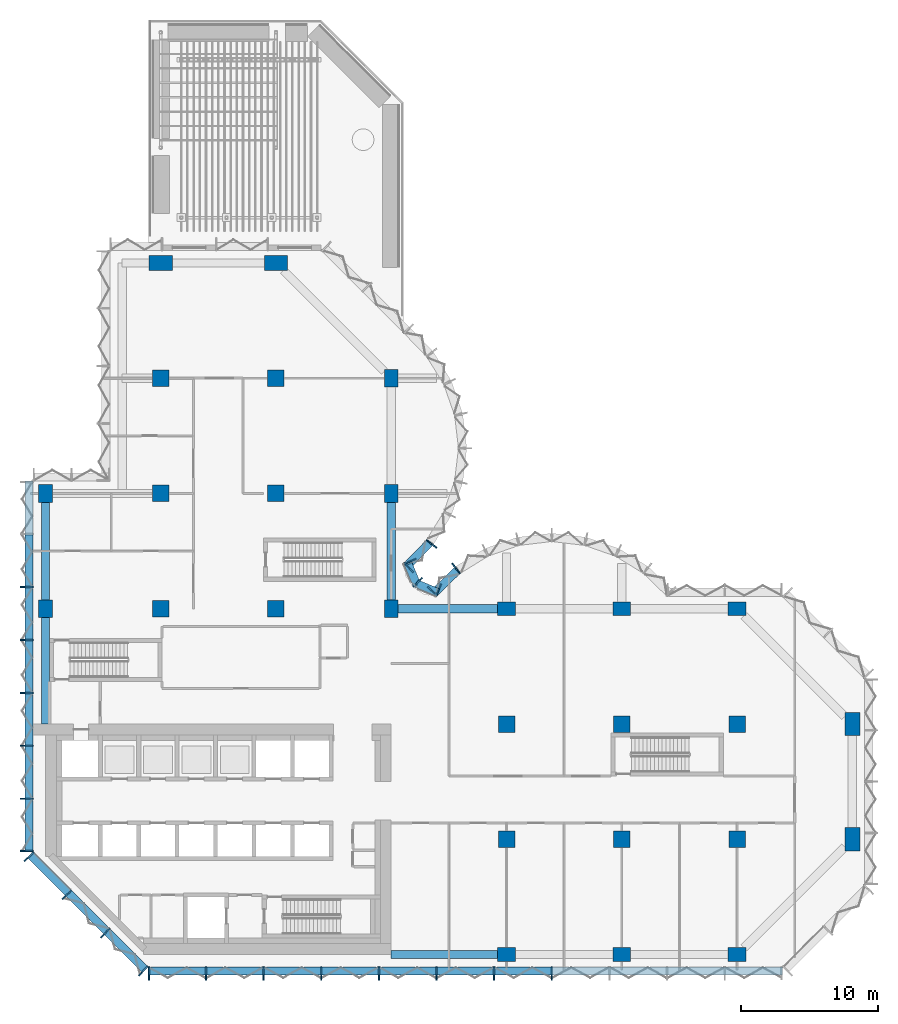
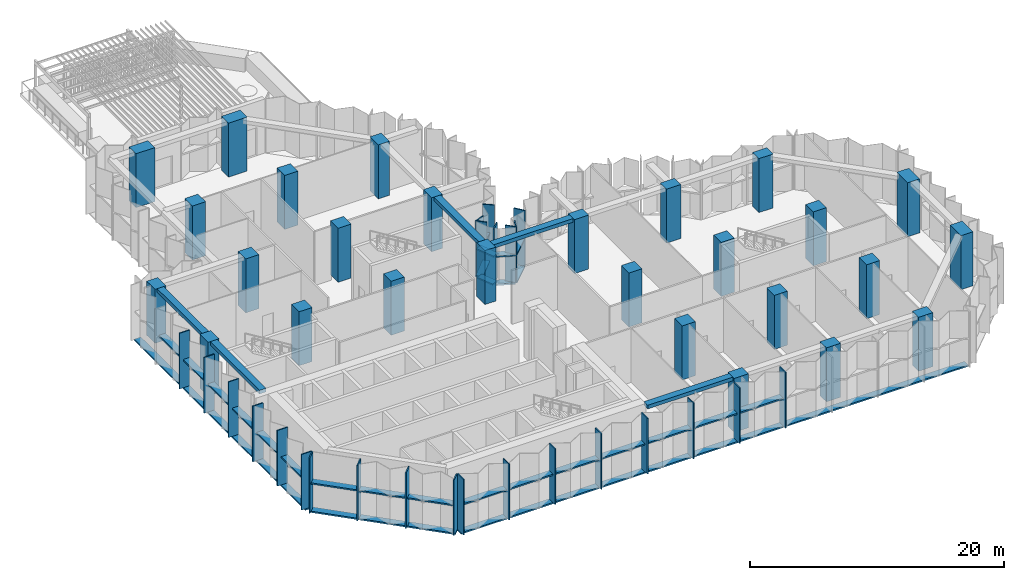
# One storey, part 1 of 15: 52 members, 27 columns, 5 beams, 6 elements without a shape of their own.
"""IFC4 building model written with IfcOpenShell, lengths in metres."""

from ifc_helpers import new_model, si_unit, direction, frame, origin, origin_2d, place, context, subcontext, project, spatial, rectangle, extrude, material, material_profile, profile_set, type_object, element, aggregate, save


model = new_model("IFC4")

# Units and contexts
model_context = context("Model", 3, precision=1e-05, world=origin(), true_north=direction((0.0, 1.0)))
body_context = subcontext(model_context, "Body", "Model", "MODEL_VIEW")
ifc_project = project(units=[si_unit("LENGTHUNIT", "METRE"), si_unit("AREAUNIT", "SQUARE_METRE"), si_unit("VOLUMEUNIT", "CUBIC_METRE"), si_unit("PLANEANGLEUNIT", "RADIAN"), si_unit("MASSUNIT", "GRAM", prefix="KILO")], contexts=[model_context])

# Site, building, storey
site_placement = place(None, origin())
site = spatial("IfcSite", under=ifc_project, at=site_placement, CompositionType="ELEMENT")
building_placement = place(site_placement, origin())
building = spatial("IfcBuilding", under=site, at=building_placement, Name="Brevane Broadcast Tower", CompositionType="ELEMENT")
storey_placement = place(building_placement, frame((0.0, 0.0, 156.5)))
storey = spatial("IfcBuildingStorey", under=building, at=storey_placement, Name="L39", CompositionType="ELEMENT", Elevation=156.5)

# Columns
ifc_material_1 = material(Name="Concrete C60/75", Category="concrete")
ifc_material_profile_1 = material_profile(ifc_material_1, rectangle(XDim=1.0, YDim=1.300048828125, at=origin_2d()), Name="RC 1000x1300")
ifc_profile_set_1 = profile_set([ifc_material_profile_1], Name="Concrete C60/75")
column_type_1 = type_object("IfcColumnType", Name="RC COLUMN EDGE 1000x1300 C60/75", PredefinedType="COLUMN", material=ifc_profile_set_1)
for number, where, z_axis, x_axis, name in (
    (1, (0.0, 25.199951171875, 0.0), (0.0, 0.0, 1.0), (1.0, 0.0, 0.0), "CE8 1/D"),
    (2, (0.0, 33.60009765625, 0.0), (0.0, 0.0, 1.0), (1.0, 0.0, 0.0), "CE8 1/E"),
    (3, (25.199951171875, 25.199951171875, 0.0), (0.0, 0.0, 1.0), (1.0, 0.0, 0.0), "CE8 4/D"),
    (4, (25.199951171875, 33.60009765625, 0.0), (0.0, 0.0, 1.0), (1.0, 0.0, 0.0), "CE8 4/E"),
    (5, (25.199951171875, 42.0, 0.0), (0.0, 0.0, 1.0), (1.0, 0.0, 0.0), "CE8 4/F"),
    (6, (33.60009765625, 0.0, 0.0), (0.0, 0.0, 1.0), (0.0, 1.0, 0.0), "CE8 5/A"),
    (7, (33.60009765625, 25.199951171875, 0.0), (0.0, 0.0, 1.0), (0.0, 1.0, 0.0), "CE8 5/D"),
    (8, (42.0, 0.0, 0.0), (0.0, 0.0, 1.0), (0.0, 1.0, 0.0), "CE8 6/A"),
    (9, (42.0, 25.199951171875, 0.0), (0.0, 0.0, 1.0), (0.0, 1.0, 0.0), "CE8 6/D"),
    (10, (50.39990234375, 0.0, 0.0), (0.0, 0.0, 1.0), (0.0, 1.0, 0.0), "CE8 7/A"),
    (11, (50.39990234375, 25.199951171875, 0.0), (0.0, 0.0, 1.0), (0.0, 1.0, 0.0), "CE8 7/D"),
):
    element("IfcColumn", number, at=place(storey_placement, frame(where, z_axis=z_axis, x_axis=x_axis)), inside=storey, type_object=column_type_1, Name=name, PredefinedType="COLUMN", context=body_context, shape_type="SweptSolid", body=[
        extrude(rectangle(XDim=1.0, YDim=1.300048828125, at=origin_2d()), origin(), (0.0, 0.0, 1.0), 5.199951171875),
    ])
ifc_material_profile_2 = material_profile(ifc_material_1, rectangle(XDim=1.199951171875, YDim=1.199951171875, at=origin_2d()), Name="RC 1200x1200")
ifc_profile_set_2 = profile_set([ifc_material_profile_2], Name="Concrete C60/75")
column_type_2 = type_object("IfcColumnType", Name="RC COLUMN INTERIOR 1200x1200 C60/75", PredefinedType="COLUMN", material=ifc_profile_set_2)
for number, where, z_axis, x_axis, name in (
    (12, (8.39990234375, 25.199951171875, 0.0), (0.0, 0.0, 1.0), (1.0, 0.0, 0.0), "CI9 2/D"),
    (13, (8.39990234375, 33.60009765625, 0.0), (0.0, 0.0, 1.0), (1.0, 0.0, 0.0), "CI9 2/E"),
    (14, (8.39990234375, 42.0, 0.0), (0.0, 0.0, 1.0), (1.0, 0.0, 0.0), "CI9 2/F"),
    (15, (16.800048828125, 25.199951171875, 0.0), (0.0, 0.0, 1.0), (1.0, 0.0, 0.0), "CI9 3/D"),
    (16, (16.800048828125, 33.60009765625, 0.0), (0.0, 0.0, 1.0), (1.0, 0.0, 0.0), "CI9 3/E"),
    (17, (16.800048828125, 42.0, 0.0), (0.0, 0.0, 1.0), (1.0, 0.0, 0.0), "CI9 3/F"),
    (18, (33.60009765625, 8.39990234375, 0.0), (0.0, 0.0, 1.0), (1.0, 0.0, 0.0), "CI9 5/B"),
    (19, (33.60009765625, 16.800048828125, 0.0), (0.0, 0.0, 1.0), (1.0, 0.0, 0.0), "CI9 5/C"),
    (20, (42.0, 8.39990234375, 0.0), (0.0, 0.0, 1.0), (1.0, 0.0, 0.0), "CI9 6/B"),
    (21, (42.0, 16.800048828125, 0.0), (0.0, 0.0, 1.0), (1.0, 0.0, 0.0), "CI9 6/C"),
    (22, (50.39990234375, 8.39990234375, 0.0), (0.0, 0.0, 1.0), (1.0, 0.0, 0.0), "CI9 7/B"),
    (23, (50.39990234375, 16.800048828125, 0.0), (0.0, 0.0, 1.0), (1.0, 0.0, 0.0), "CI9 7/C"),
):
    element("IfcColumn", number, at=place(storey_placement, frame(where, z_axis=z_axis, x_axis=x_axis)), inside=storey, type_object=column_type_2, Name=name, PredefinedType="COLUMN", context=body_context, shape_type="SweptSolid", body=[
        extrude(rectangle(XDim=1.199951171875, YDim=1.199951171875, at=origin_2d()), origin(), (0.0, 0.0, 1.0), 5.199951171875),
    ])
ifc_material_profile_3 = material_profile(ifc_material_1, rectangle(XDim=1.10009765625, YDim=1.699951171875, at=origin_2d()), Name="RC 1100x1700")
ifc_profile_set_3 = profile_set([ifc_material_profile_3], Name="Concrete C60/75")
column_type_3 = type_object("IfcColumnType", Name="RC COLUMN WING-END 1100x1700 C60/75", PredefinedType="COLUMN", material=ifc_profile_set_3)
for number, where, z_axis, x_axis, name in (
    (24, (8.39990234375, 50.39990234375, 0.0), (0.0, 0.0, 1.0), (0.0, 1.0, 0.0), "CW10 2/G"),
    (25, (16.800048828125, 50.39990234375, 0.0), (0.0, 0.0, 1.0), (0.0, 1.0, 0.0), "CW10 3/G"),
    (26, (58.800048828125, 8.39990234375, 0.0), (0.0, 0.0, 1.0), (1.0, 0.0, 0.0), "CW10 8/B"),
    (27, (58.800048828125, 16.800048828125, 0.0), (0.0, 0.0, 1.0), (1.0, 0.0, 0.0), "CW10 8/C"),
):
    element("IfcColumn", number, at=place(storey_placement, frame(where, z_axis=z_axis, x_axis=x_axis)), inside=storey, type_object=column_type_3, Name=name, PredefinedType="COLUMN", context=body_context, shape_type="SweptSolid", body=[
        extrude(rectangle(XDim=1.10009765625, YDim=1.699951171875, at=origin_2d()), origin(), (0.0, 0.0, 1.0), 5.199951171875),
    ])

# Curtain wall, members
ifc_material_2 = material(Name="Aluminium 6063-T6 bronze anodised", Category="aluminium")
curtain_wall_type = type_object("IfcCurtainWallType", Name="CW-4 curtain wall", PredefinedType="NOTDEFINED", material=ifc_material_2)
curtain_wall_1_placement = place(storey_placement, origin())
curtain_wall_1 = element("IfcCurtainWall", 28, at=curtain_wall_1_placement, inside=storey, type_object=curtain_wall_type, Name="CW-4 sky lobby unit L39 south face", PredefinedType="NOTDEFINED")
ifc_material_profile_4 = material_profile(ifc_material_2, rectangle(XDim=0.949951171875, YDim=0.10009765625, at=origin_2d()), Name="RECT 100x950")
ifc_profile_set_4 = profile_set([ifc_material_profile_4], Name="Aluminium 6063-T6 bronze anodised")
member_type_1 = type_object("IfcMemberType", Name="CW-4 mullion 100x950", PredefinedType="MULLION", material=ifc_profile_set_4)
member_1_placement = place(storey_placement, frame((7.550048828125, -1.375, -0.159912109375), z_axis=(0.0, 0.0, 1.0), x_axis=(0.0, 1.0, 0.0)))
member_1 = element("IfcMember", 29, at=member_1_placement, type_object=member_type_1, Name="CW-4 mullion", PredefinedType="MULLION", context=body_context, shape_type="SweptSolid", body=[
    extrude(rectangle(XDim=0.949951171875, YDim=0.10009765625, at=origin_2d()), origin(), (0.0, 0.0, 1.0), 5.35986328125),
])
member_2_placement = place(storey_placement, frame((11.699951171875, -1.375, -0.159912109375), z_axis=(0.0, 0.0, 1.0), x_axis=(0.0, 1.0, 0.0)))
member_2 = element("IfcMember", 30, at=member_2_placement, type_object=member_type_1, Name="CW-4 mullion", PredefinedType="MULLION", context=body_context, shape_type="SweptSolid", body=[
    extrude(rectangle(XDim=0.949951171875, YDim=0.10009765625, at=origin_2d()), origin(), (0.0, 0.0, 1.0), 5.35986328125),
])
member_3_placement = place(storey_placement, frame((15.89990234375, -1.375, -0.159912109375), z_axis=(0.0, 0.0, 1.0), x_axis=(0.0, 1.0, 0.0)))
member_3 = element("IfcMember", 31, at=member_3_placement, type_object=member_type_1, Name="CW-4 mullion", PredefinedType="MULLION", context=body_context, shape_type="SweptSolid", body=[
    extrude(rectangle(XDim=0.949951171875, YDim=0.10009765625, at=origin_2d()), origin(), (0.0, 0.0, 1.0), 5.35986328125),
])
member_4_placement = place(storey_placement, frame((20.10009765625, -1.375, -0.159912109375), z_axis=(0.0, 0.0, 1.0), x_axis=(0.0, 1.0, 0.0)))
member_4 = element("IfcMember", 32, at=member_4_placement, type_object=member_type_1, Name="CW-4 mullion", PredefinedType="MULLION", context=body_context, shape_type="SweptSolid", body=[
    extrude(rectangle(XDim=0.949951171875, YDim=0.10009765625, at=origin_2d()), origin(), (0.0, 0.0, 1.0), 5.35986328125),
])
member_5_placement = place(storey_placement, frame((24.300048828125, -1.375, -0.159912109375), z_axis=(0.0, 0.0, 1.0), x_axis=(0.0, 1.0, 0.0)))
member_5 = element("IfcMember", 33, at=member_5_placement, type_object=member_type_1, Name="CW-4 mullion", PredefinedType="MULLION", context=body_context, shape_type="SweptSolid", body=[
    extrude(rectangle(XDim=0.949951171875, YDim=0.10009765625, at=origin_2d()), origin(), (0.0, 0.0, 1.0), 5.35986328125),
])
member_6_placement = place(storey_placement, frame((28.5, -1.375, -0.159912109375), z_axis=(0.0, 0.0, 1.0), x_axis=(0.0, 1.0, 0.0)))
member_6 = element("IfcMember", 34, at=member_6_placement, type_object=member_type_1, Name="CW-4 mullion", PredefinedType="MULLION", context=body_context, shape_type="SweptSolid", body=[
    extrude(rectangle(XDim=0.949951171875, YDim=0.10009765625, at=origin_2d()), origin(), (0.0, 0.0, 1.0), 5.35986328125),
])
member_7_placement = place(storey_placement, frame((32.699951171875, -1.375, -0.159912109375), z_axis=(0.0, 0.0, 1.0), x_axis=(0.0, 1.0, 0.0)))
member_7 = element("IfcMember", 35, at=member_7_placement, type_object=member_type_1, Name="CW-4 mullion", PredefinedType="MULLION", context=body_context, shape_type="SweptSolid", body=[
    extrude(rectangle(XDim=0.949951171875, YDim=0.10009765625, at=origin_2d()), origin(), (0.0, 0.0, 1.0), 5.35986328125),
])
member_8_placement = place(storey_placement, frame((36.89990234375, -1.375, -0.159912109375), z_axis=(0.0, 0.0, 1.0), x_axis=(0.0, 1.0, 0.0)))
member_8 = element("IfcMember", 36, at=member_8_placement, type_object=member_type_1, Name="CW-4 mullion", PredefinedType="MULLION", context=body_context, shape_type="SweptSolid", body=[
    extrude(rectangle(XDim=0.949951171875, YDim=0.10009765625, at=origin_2d()), origin(), (0.0, 0.0, 1.0), 5.35986328125),
])

curtain_wall_2_placement = place(storey_placement, origin())
curtain_wall_2 = element("IfcCurtainWall", 37, at=curtain_wall_2_placement, inside=storey, type_object=curtain_wall_type, Name="CW-4 sky lobby unit L39 east bow", PredefinedType="NOTDEFINED")
member_9_placement = place(storey_placement, frame((29.927978515625, 28.1455078125, -0.159912109375), z_axis=(0.0, 0.0, 1.0), x_axis=(0.614769698862, -0.788706673841, 0.0)))
member_9 = element("IfcMember", 38, at=member_9_placement, type_object=member_type_1, Name="CW-4 mullion", PredefinedType="MULLION", context=body_context, shape_type="SweptSolid", body=[
    extrude(rectangle(XDim=0.949951171875, YDim=0.10009765625, at=origin_2d()), origin(), (0.0, 0.0, 1.0), 5.35986328125),
])
member_10_placement = place(storey_placement, frame((28.204833984375, 26.4755859375, -0.159912109375), z_axis=(0.0, 0.0, 1.0), x_axis=(0.696812089895, -0.717253728729, 0.0)))
member_10 = element("IfcMember", 39, at=member_10_placement, type_object=member_type_1, Name="CW-4 mullion", PredefinedType="MULLION", context=body_context, shape_type="SweptSolid", body=[
    extrude(rectangle(XDim=0.949951171875, YDim=0.10009765625, at=origin_2d()), origin(), (0.0, 0.0, 1.0), 5.35986328125),
])

curtain_wall_3_placement = place(storey_placement, origin())
curtain_wall_3 = element("IfcCurtainWall", 40, at=curtain_wall_3_placement, inside=storey, type_object=curtain_wall_type, Name="CW-4 sky lobby unit L39 inner corner", PredefinedType="NOTDEFINED")
member_11_placement = place(storey_placement, frame((28.635498046875, 26.557861328125, -0.159912109375), z_axis=(0.0, 0.0, 1.0), x_axis=(-0.382683432365, -0.923879532511, 0.0)))
member_11 = element("IfcMember", 41, at=member_11_placement, type_object=member_type_1, Name="CW-4 mullion", PredefinedType="MULLION", context=body_context, shape_type="SweptSolid", body=[
    extrude(rectangle(XDim=0.949951171875, YDim=0.10009765625, at=origin_2d()), origin(), (0.0, 0.0, 1.0), 5.35986328125),
])
member_12_placement = place(storey_placement, frame((27.138916015625, 27.138916015625, -0.159912109375), z_axis=(0.0, 0.0, 1.0), x_axis=(-0.707106781187, -0.707106781187, 0.0)))
member_12 = element("IfcMember", 42, at=member_12_placement, type_object=member_type_1, Name="CW-4 mullion", PredefinedType="MULLION", context=body_context, shape_type="SweptSolid", body=[
    extrude(rectangle(XDim=0.949951171875, YDim=0.10009765625, at=origin_2d()), origin(), (0.0, 0.0, 1.0), 5.35986328125),
])
member_13_placement = place(storey_placement, frame((26.557861328125, 28.635498046875, -0.159912109375), z_axis=(0.0, 0.0, 1.0), x_axis=(-0.923879532511, -0.382683432365, 0.0)))
member_13 = element("IfcMember", 43, at=member_13_placement, type_object=member_type_1, Name="CW-4 mullion", PredefinedType="MULLION", context=body_context, shape_type="SweptSolid", body=[
    extrude(rectangle(XDim=0.949951171875, YDim=0.10009765625, at=origin_2d()), origin(), (0.0, 0.0, 1.0), 5.35986328125),
])

curtain_wall_4_placement = place(storey_placement, origin())
curtain_wall_4 = element("IfcCurtainWall", 44, at=curtain_wall_4_placement, inside=storey, type_object=curtain_wall_type, Name="CW-4 sky lobby unit L39 north bow", PredefinedType="NOTDEFINED")
member_14_placement = place(storey_placement, frame((26.4755859375, 28.204833984375, -0.159912109375), z_axis=(0.0, 0.0, 1.0), x_axis=(-0.717253728729, 0.696812089895, 0.0)))
member_14 = element("IfcMember", 45, at=member_14_placement, type_object=member_type_1, Name="CW-4 mullion", PredefinedType="MULLION", context=body_context, shape_type="SweptSolid", body=[
    extrude(rectangle(XDim=0.949951171875, YDim=0.10009765625, at=origin_2d()), origin(), (0.0, 0.0, 1.0), 5.35986328125),
])
member_15_placement = place(storey_placement, frame((28.1455078125, 29.927978515625, -0.159912109375), z_axis=(0.0, 0.0, 1.0), x_axis=(-0.788706673841, 0.614769698862, 0.0)))
member_15 = element("IfcMember", 46, at=member_15_placement, type_object=member_type_1, Name="CW-4 mullion", PredefinedType="MULLION", context=body_context, shape_type="SweptSolid", body=[
    extrude(rectangle(XDim=0.949951171875, YDim=0.10009765625, at=origin_2d()), origin(), (0.0, 0.0, 1.0), 5.35986328125),
])

curtain_wall_5_placement = place(storey_placement, origin())
curtain_wall_5 = element("IfcCurtainWall", 47, at=curtain_wall_5_placement, inside=storey, type_object=curtain_wall_type, Name="CW-4 sky lobby unit L39 west face", PredefinedType="NOTDEFINED")
member_16_placement = place(storey_placement, frame((-1.375, 26.78564453125, -0.159912109375), z_axis=(0.0, 0.0, 1.0), x_axis=(1.0, 0.0, 0.0)))
member_16 = element("IfcMember", 48, at=member_16_placement, type_object=member_type_1, Name="CW-4 mullion", PredefinedType="MULLION", context=body_context, shape_type="SweptSolid", body=[
    extrude(rectangle(XDim=0.949951171875, YDim=0.10009765625, at=origin_2d()), origin(), (0.0, 0.0, 1.0), 5.35986328125),
])
member_17_placement = place(storey_placement, frame((-1.375, 22.928466796875, -0.159912109375), z_axis=(0.0, 0.0, 1.0), x_axis=(1.0, 0.0, 0.0)))
member_17 = element("IfcMember", 49, at=member_17_placement, type_object=member_type_1, Name="CW-4 mullion", PredefinedType="MULLION", context=body_context, shape_type="SweptSolid", body=[
    extrude(rectangle(XDim=0.949951171875, YDim=0.10009765625, at=origin_2d()), origin(), (0.0, 0.0, 1.0), 5.35986328125),
])
member_18_placement = place(storey_placement, frame((-1.375, 19.071533203125, -0.159912109375), z_axis=(0.0, 0.0, 1.0), x_axis=(1.0, 0.0, 0.0)))
member_18 = element("IfcMember", 50, at=member_18_placement, type_object=member_type_1, Name="CW-4 mullion", PredefinedType="MULLION", context=body_context, shape_type="SweptSolid", body=[
    extrude(rectangle(XDim=0.949951171875, YDim=0.10009765625, at=origin_2d()), origin(), (0.0, 0.0, 1.0), 5.35986328125),
])
member_19_placement = place(storey_placement, frame((-1.375, 15.21435546875, -0.159912109375), z_axis=(0.0, 0.0, 1.0), x_axis=(1.0, 0.0, 0.0)))
member_19 = element("IfcMember", 51, at=member_19_placement, type_object=member_type_1, Name="CW-4 mullion", PredefinedType="MULLION", context=body_context, shape_type="SweptSolid", body=[
    extrude(rectangle(XDim=0.949951171875, YDim=0.10009765625, at=origin_2d()), origin(), (0.0, 0.0, 1.0), 5.35986328125),
])
member_20_placement = place(storey_placement, frame((-1.375, 11.357177734375, -0.159912109375), z_axis=(0.0, 0.0, 1.0), x_axis=(1.0, 0.0, 0.0)))
member_20 = element("IfcMember", 52, at=member_20_placement, type_object=member_type_1, Name="CW-4 mullion", PredefinedType="MULLION", context=body_context, shape_type="SweptSolid", body=[
    extrude(rectangle(XDim=0.949951171875, YDim=0.10009765625, at=origin_2d()), origin(), (0.0, 0.0, 1.0), 5.35986328125),
])
member_21_placement = place(storey_placement, frame((-1.375, 7.550048828125, -0.159912109375), z_axis=(0.0, 0.0, 1.0), x_axis=(1.0, 0.0, 0.0)))
member_21 = element("IfcMember", 53, at=member_21_placement, type_object=member_type_1, Name="CW-4 mullion", PredefinedType="MULLION", context=body_context, shape_type="SweptSolid", body=[
    extrude(rectangle(XDim=0.949951171875, YDim=0.10009765625, at=origin_2d()), origin(), (0.0, 0.0, 1.0), 5.35986328125),
])

curtain_wall_6_placement = place(storey_placement, origin())
curtain_wall_6 = element("IfcCurtainWall", 54, at=curtain_wall_6_placement, inside=storey, type_object=curtain_wall_type, Name="CW-4 sky lobby unit L39 south-west chamfer", PredefinedType="NOTDEFINED")
member_22_placement = place(storey_placement, frame((-1.200439453125, 7.128662109375, -0.159912109375), z_axis=(0.0, 0.0, 1.0), x_axis=(0.707106781187, 0.707106781187, 0.0)))
member_22 = element("IfcMember", 55, at=member_22_placement, type_object=member_type_1, Name="CW-4 mullion", PredefinedType="MULLION", context=body_context, shape_type="SweptSolid", body=[
    extrude(rectangle(XDim=0.949951171875, YDim=0.10009765625, at=origin_2d()), origin(), (0.0, 0.0, 1.0), 5.35986328125),
])
member_23_placement = place(storey_placement, frame((1.564208984375, 4.364013671875, -0.159912109375), z_axis=(0.0, 0.0, 1.0), x_axis=(0.707106781187, 0.707106781187, 0.0)))
member_23 = element("IfcMember", 56, at=member_23_placement, type_object=member_type_1, Name="CW-4 mullion", PredefinedType="MULLION", context=body_context, shape_type="SweptSolid", body=[
    extrude(rectangle(XDim=0.949951171875, YDim=0.10009765625, at=origin_2d()), origin(), (0.0, 0.0, 1.0), 5.35986328125),
])
member_24_placement = place(storey_placement, frame((4.364013671875, 1.564208984375, -0.159912109375), z_axis=(0.0, 0.0, 1.0), x_axis=(0.707106781187, 0.707106781187, 0.0)))
member_24 = element("IfcMember", 57, at=member_24_placement, type_object=member_type_1, Name="CW-4 mullion", PredefinedType="MULLION", context=body_context, shape_type="SweptSolid", body=[
    extrude(rectangle(XDim=0.949951171875, YDim=0.10009765625, at=origin_2d()), origin(), (0.0, 0.0, 1.0), 5.35986328125),
])
member_25_placement = place(storey_placement, frame((7.128662109375, -1.200439453125, -0.159912109375), z_axis=(0.0, 0.0, 1.0), x_axis=(0.707106781187, 0.707106781187, 0.0)))
member_25 = element("IfcMember", 58, at=member_25_placement, type_object=member_type_1, Name="CW-4 mullion", PredefinedType="MULLION", context=body_context, shape_type="SweptSolid", body=[
    extrude(rectangle(XDim=0.949951171875, YDim=0.10009765625, at=origin_2d()), origin(), (0.0, 0.0, 1.0), 5.35986328125),
])

# Member
ifc_material_profile_5 = material_profile(ifc_material_2, rectangle(XDim=0.60009765625, YDim=0.139892578125, at=origin_2d()), Name="RECT 140x600")
ifc_profile_set_5 = profile_set([ifc_material_profile_5], Name="Aluminium 6063-T6 bronze anodised")
member_type_2 = type_object("IfcMemberType", Name="CW-4 transom 140x600", PredefinedType="USERDEFINED", material=ifc_profile_set_5)
member_26_placement = place(storey_placement, frame((7.5, -1.199951171875, -0.22998046875), z_axis=(1.0, 0.0, 0.0), x_axis=(0.0, 1.0, 0.0)))
member_26 = element("IfcMember", 59, at=member_26_placement, type_object=member_type_2, Name="CW-4 transom", ObjectType="TRANSOM", PredefinedType="USERDEFINED", context=body_context, shape_type="SweptSolid", body=[
    extrude(rectangle(XDim=0.60009765625, YDim=0.139892578125, at=origin_2d()), origin(), (0.0, 0.0, 1.0), 46.199951171875),
])

member_27_placement = place(storey_placement, frame((7.550048828125, -1.199951171875, 2.5), z_axis=(1.0, 0.0, 0.0), x_axis=(0.0, 1.0, 0.0)))
member_27 = element("IfcMember", 60, at=member_27_placement, type_object=member_type_2, Name="CW-4 transom", ObjectType="TRANSOM", PredefinedType="USERDEFINED", context=body_context, shape_type="SweptSolid", body=[
    extrude(rectangle(XDim=0.60009765625, YDim=0.139892578125, at=origin_2d()), origin(), (0.0, 0.0, 1.0), 4.099853515625),
])

member_28_placement = place(storey_placement, frame((11.75, -1.199951171875, 2.5), z_axis=(1.0, 0.0, 0.0), x_axis=(0.0, 1.0, 0.0)))
member_28 = element("IfcMember", 61, at=member_28_placement, type_object=member_type_2, Name="CW-4 transom", ObjectType="TRANSOM", PredefinedType="USERDEFINED", context=body_context, shape_type="SweptSolid", body=[
    extrude(rectangle(XDim=0.60009765625, YDim=0.139892578125, at=origin_2d()), origin(), (0.0, 0.0, 1.0), 4.10009765625),
])

member_29_placement = place(storey_placement, frame((15.949951171875, -1.199951171875, 2.5), z_axis=(1.0, 0.0, 0.0), x_axis=(0.0, 1.0, 0.0)))
member_29 = element("IfcMember", 62, at=member_29_placement, type_object=member_type_2, Name="CW-4 transom", ObjectType="TRANSOM", PredefinedType="USERDEFINED", context=body_context, shape_type="SweptSolid", body=[
    extrude(rectangle(XDim=0.60009765625, YDim=0.139892578125, at=origin_2d()), origin(), (0.0, 0.0, 1.0), 4.10009765625),
])

member_30_placement = place(storey_placement, frame((20.14990234375, -1.199951171875, 2.5), z_axis=(1.0, 0.0, 0.0), x_axis=(0.0, 1.0, 0.0)))
member_30 = element("IfcMember", 63, at=member_30_placement, type_object=member_type_2, Name="CW-4 transom", ObjectType="TRANSOM", PredefinedType="USERDEFINED", context=body_context, shape_type="SweptSolid", body=[
    extrude(rectangle(XDim=0.60009765625, YDim=0.139892578125, at=origin_2d()), origin(), (0.0, 0.0, 1.0), 4.10009765625),
])

member_31_placement = place(storey_placement, frame((24.35009765625, -1.199951171875, 2.5), z_axis=(1.0, 0.0, 0.0), x_axis=(0.0, 1.0, 0.0)))
member_31 = element("IfcMember", 64, at=member_31_placement, type_object=member_type_2, Name="CW-4 transom", ObjectType="TRANSOM", PredefinedType="USERDEFINED", context=body_context, shape_type="SweptSolid", body=[
    extrude(rectangle(XDim=0.60009765625, YDim=0.139892578125, at=origin_2d()), origin(), (0.0, 0.0, 1.0), 4.099853515625),
])

member_32_placement = place(storey_placement, frame((28.550048828125, -1.199951171875, 2.5), z_axis=(1.0, 0.0, 0.0), x_axis=(0.0, 1.0, 0.0)))
member_32 = element("IfcMember", 65, at=member_32_placement, type_object=member_type_2, Name="CW-4 transom", ObjectType="TRANSOM", PredefinedType="USERDEFINED", context=body_context, shape_type="SweptSolid", body=[
    extrude(rectangle(XDim=0.60009765625, YDim=0.139892578125, at=origin_2d()), origin(), (0.0, 0.0, 1.0), 4.099853515625),
])

member_33_placement = place(storey_placement, frame((32.75, -1.199951171875, 2.5), z_axis=(1.0, 0.0, 0.0), x_axis=(0.0, 1.0, 0.0)))
member_33 = element("IfcMember", 66, at=member_33_placement, type_object=member_type_2, Name="CW-4 transom", ObjectType="TRANSOM", PredefinedType="USERDEFINED", context=body_context, shape_type="SweptSolid", body=[
    extrude(rectangle(XDim=0.60009765625, YDim=0.139892578125, at=origin_2d()), origin(), (0.0, 0.0, 1.0), 4.10009765625),
])

aggregate(curtain_wall_1, [member_1, member_2, member_3, member_4, member_5, member_6, member_7, member_8, member_26, member_27, member_28, member_29, member_30, member_31, member_32, member_33])

member_34_placement = place(storey_placement, frame((29.99951171875, 27.974365234375, -0.22998046875), z_axis=(-0.71724215871, -0.696823999134, 0.0), x_axis=(0.696823999134, -0.71724215871, 0.0)))
member_34 = element("IfcMember", 67, at=member_34_placement, type_object=member_type_2, Name="CW-4 transom", ObjectType="TRANSOM", PredefinedType="USERDEFINED", context=body_context, shape_type="SweptSolid", body=[
    extrude(rectangle(XDim=0.60009765625, YDim=0.139892578125, at=origin_2d()), origin(), (0.0, 0.0, 1.0), 2.247802734375),
])

member_35_placement = place(storey_placement, frame((29.9755859375, 27.951171875, 2.5), z_axis=(-0.717264318442, -0.696801189357, 0.0), x_axis=(0.696801189357, -0.717264318442, 0.0)))
member_35 = element("IfcMember", 68, at=member_35_placement, type_object=member_type_2, Name="CW-4 transom", ObjectType="TRANSOM", PredefinedType="USERDEFINED", context=body_context, shape_type="SweptSolid", body=[
    extrude(rectangle(XDim=0.60009765625, YDim=0.139892578125, at=origin_2d()), origin(), (0.0, 0.0, 1.0), 2.314453125),
])

aggregate(curtain_wall_2, [member_9, member_10, member_34, member_35])

member_36_placement = place(storey_placement, frame((28.528076171875, 26.40673828125, -0.22998046875), z_axis=(-0.923883243627, 0.382674472816, 0.0), x_axis=(-0.382674472816, -0.923883243627, 0.0)))
member_36 = element("IfcMember", 69, at=member_36_placement, type_object=member_type_2, Name="CW-4 transom", ObjectType="TRANSOM", PredefinedType="USERDEFINED", context=body_context, shape_type="SweptSolid", body=[
    extrude(rectangle(XDim=0.60009765625, YDim=0.139892578125, at=origin_2d()), origin(), (0.0, 0.0, 1.0), 1.536865234375),
])

member_37_placement = place(storey_placement, frame((27.039794921875, 27.0, -0.22998046875), z_axis=(-0.382674472816, 0.923883243627, 0.0), x_axis=(-0.923883243627, -0.382674472816, 0.0)))
member_37 = element("IfcMember", 70, at=member_37_placement, type_object=member_type_2, Name="CW-4 transom", ObjectType="TRANSOM", PredefinedType="USERDEFINED", context=body_context, shape_type="SweptSolid", body=[
    extrude(rectangle(XDim=0.60009765625, YDim=0.139892578125, at=origin_2d()), origin(), (0.0, 0.0, 1.0), 1.536865234375),
])

member_38_placement = place(storey_placement, frame((28.620361328125, 26.36865234375, 2.5), z_axis=(-0.923890045816, 0.382658050017, 0.0), x_axis=(-0.382658050017, -0.923890045816, 0.0)))
member_38 = element("IfcMember", 71, at=member_38_placement, type_object=member_type_2, Name="CW-4 transom", ObjectType="TRANSOM", PredefinedType="USERDEFINED", context=body_context, shape_type="SweptSolid", body=[
    extrude(rectangle(XDim=0.60009765625, YDim=0.139892578125, at=origin_2d()), origin(), (0.0, 0.0, 1.0), 1.736572265625),
])

member_39_placement = place(storey_placement, frame((27.078125, 26.90771484375, 2.5), z_axis=(-0.382697690018, 0.923873626669, 0.0), x_axis=(-0.923873626669, -0.382697690018, 0.0)))
member_39 = element("IfcMember", 72, at=member_39_placement, type_object=member_type_2, Name="CW-4 transom", ObjectType="TRANSOM", PredefinedType="USERDEFINED", context=body_context, shape_type="SweptSolid", body=[
    extrude(rectangle(XDim=0.60009765625, YDim=0.139892578125, at=origin_2d()), origin(), (0.0, 0.0, 1.0), 1.745361328125),
])

aggregate(curtain_wall_3, [member_11, member_12, member_13, member_36, member_37, member_38, member_39])

member_40_placement = place(storey_placement, frame((26.407958984375, 28.38720703125, -0.22998046875), z_axis=(0.696823999134, 0.71724215871, 0.0), x_axis=(-0.71724215871, 0.696823999134, 0.0)))
member_40 = element("IfcMember", 73, at=member_40_placement, type_object=member_type_2, Name="CW-4 transom", ObjectType="TRANSOM", PredefinedType="USERDEFINED", context=body_context, shape_type="SweptSolid", body=[
    extrude(rectangle(XDim=0.60009765625, YDim=0.139892578125, at=origin_2d()), origin(), (0.0, 0.0, 1.0), 2.247802734375),
])

member_41_placement = place(storey_placement, frame((26.33837890625, 28.3154296875, 2.5), z_axis=(0.696801189357, 0.717264318442, 0.0), x_axis=(-0.717264318442, 0.696801189357, 0.0)))
member_41 = element("IfcMember", 74, at=member_41_placement, type_object=member_type_2, Name="CW-4 transom", ObjectType="TRANSOM", PredefinedType="USERDEFINED", context=body_context, shape_type="SweptSolid", body=[
    extrude(rectangle(XDim=0.60009765625, YDim=0.139892578125, at=origin_2d()), origin(), (0.0, 0.0, 1.0), 2.314453125),
])

aggregate(curtain_wall_4, [member_14, member_15, member_40, member_41])

member_42_placement = place(storey_placement, frame((-1.199951171875, 34.5, -0.22998046875), z_axis=(0.0, -1.0, 0.0), x_axis=(1.0, 0.0, 0.0)))
member_42 = element("IfcMember", 75, at=member_42_placement, type_object=member_type_2, Name="CW-4 transom", ObjectType="TRANSOM", PredefinedType="USERDEFINED", context=body_context, shape_type="SweptSolid", body=[
    extrude(rectangle(XDim=0.60009765625, YDim=0.139892578125, at=origin_2d()), origin(), (0.0, 0.0, 1.0), 27.0),
])

member_43_placement = place(storey_placement, frame((-1.199951171875, 30.5927734375, 2.5), z_axis=(0.0, -1.0, 0.0), x_axis=(1.0, 0.0, 0.0)))
member_43 = element("IfcMember", 76, at=member_43_placement, type_object=member_type_2, Name="CW-4 transom", ObjectType="TRANSOM", PredefinedType="USERDEFINED", context=body_context, shape_type="SweptSolid", body=[
    extrude(rectangle(XDim=0.60009765625, YDim=0.139892578125, at=origin_2d()), origin(), (0.0, 0.0, 1.0), 3.757080078125),
])

member_44_placement = place(storey_placement, frame((-1.199951171875, 26.735595703125, 2.5), z_axis=(0.0, -1.0, 0.0), x_axis=(1.0, 0.0, 0.0)))
member_44 = element("IfcMember", 77, at=member_44_placement, type_object=member_type_2, Name="CW-4 transom", ObjectType="TRANSOM", PredefinedType="USERDEFINED", context=body_context, shape_type="SweptSolid", body=[
    extrude(rectangle(XDim=0.60009765625, YDim=0.139892578125, at=origin_2d()), origin(), (0.0, 0.0, 1.0), 3.757080078125),
])

member_45_placement = place(storey_placement, frame((-1.199951171875, 22.878662109375, 2.5), z_axis=(0.0, -1.0, 0.0), x_axis=(1.0, 0.0, 0.0)))
member_45 = element("IfcMember", 78, at=member_45_placement, type_object=member_type_2, Name="CW-4 transom", ObjectType="TRANSOM", PredefinedType="USERDEFINED", context=body_context, shape_type="SweptSolid", body=[
    extrude(rectangle(XDim=0.60009765625, YDim=0.139892578125, at=origin_2d()), origin(), (0.0, 0.0, 1.0), 3.75732421875),
])

member_46_placement = place(storey_placement, frame((-1.199951171875, 19.021484375, 2.5), z_axis=(0.0, -1.0, 0.0), x_axis=(1.0, 0.0, 0.0)))
member_46 = element("IfcMember", 79, at=member_46_placement, type_object=member_type_2, Name="CW-4 transom", ObjectType="TRANSOM", PredefinedType="USERDEFINED", context=body_context, shape_type="SweptSolid", body=[
    extrude(rectangle(XDim=0.60009765625, YDim=0.139892578125, at=origin_2d()), origin(), (0.0, 0.0, 1.0), 3.757080078125),
])

member_47_placement = place(storey_placement, frame((-1.199951171875, 15.164306640625, 2.5), z_axis=(0.0, -1.0, 0.0), x_axis=(1.0, 0.0, 0.0)))
member_47 = element("IfcMember", 80, at=member_47_placement, type_object=member_type_2, Name="CW-4 transom", ObjectType="TRANSOM", PredefinedType="USERDEFINED", context=body_context, shape_type="SweptSolid", body=[
    extrude(rectangle(XDim=0.60009765625, YDim=0.139892578125, at=origin_2d()), origin(), (0.0, 0.0, 1.0), 3.757080078125),
])

member_48_placement = place(storey_placement, frame((-1.199951171875, 11.30712890625, 2.5), z_axis=(0.0, -1.0, 0.0), x_axis=(1.0, 0.0, 0.0)))
member_48 = element("IfcMember", 81, at=member_48_placement, type_object=member_type_2, Name="CW-4 transom", ObjectType="TRANSOM", PredefinedType="USERDEFINED", context=body_context, shape_type="SweptSolid", body=[
    extrude(rectangle(XDim=0.60009765625, YDim=0.139892578125, at=origin_2d()), origin(), (0.0, 0.0, 1.0), 3.757080078125),
])

aggregate(curtain_wall_5, [member_16, member_17, member_18, member_19, member_20, member_21, member_42, member_43, member_44, member_45, member_46, member_47, member_48])

member_49_placement = place(storey_placement, frame((-1.112060546875, 7.287841796875, -0.22998046875), z_axis=(0.707106781187, -0.707106781187, 0.0), x_axis=(0.707106781187, 0.707106781187, 0.0)))
member_49 = element("IfcMember", 82, at=member_49_placement, type_object=member_type_2, Name="CW-4 transom", ObjectType="TRANSOM", PredefinedType="USERDEFINED", context=body_context, shape_type="SweptSolid", body=[
    extrude(rectangle(XDim=0.60009765625, YDim=0.139892578125, at=origin_2d()), origin(), (0.0, 0.0, 1.0), 11.879150390625),
])

member_50_placement = place(storey_placement, frame((-1.07666015625, 7.25244140625, 2.5), z_axis=(0.707106781187, -0.707106781187, 0.0), x_axis=(0.707106781187, 0.707106781187, 0.0)))
member_50 = element("IfcMember", 83, at=member_50_placement, type_object=member_type_2, Name="CW-4 transom", ObjectType="TRANSOM", PredefinedType="USERDEFINED", context=body_context, shape_type="SweptSolid", body=[
    extrude(rectangle(XDim=0.60009765625, YDim=0.139892578125, at=origin_2d()), origin(), (0.0, 0.0, 1.0), 3.859619140625),
])

member_51_placement = place(storey_placement, frame((1.72314453125, 4.452392578125, 2.5), z_axis=(0.707106781187, -0.707106781187, 0.0), x_axis=(0.707106781187, 0.707106781187, 0.0)))
member_51 = element("IfcMember", 84, at=member_51_placement, type_object=member_type_2, Name="CW-4 transom", ObjectType="TRANSOM", PredefinedType="USERDEFINED", context=body_context, shape_type="SweptSolid", body=[
    extrude(rectangle(XDim=0.60009765625, YDim=0.139892578125, at=origin_2d()), origin(), (0.0, 0.0, 1.0), 3.859619140625),
])

member_52_placement = place(storey_placement, frame((4.523193359375, 1.652587890625, 2.5), z_axis=(0.707106781187, -0.707106781187, 0.0), x_axis=(0.707106781187, 0.707106781187, 0.0)))
member_52 = element("IfcMember", 85, at=member_52_placement, type_object=member_type_2, Name="CW-4 transom", ObjectType="TRANSOM", PredefinedType="USERDEFINED", context=body_context, shape_type="SweptSolid", body=[
    extrude(rectangle(XDim=0.60009765625, YDim=0.139892578125, at=origin_2d()), origin(), (0.0, 0.0, 1.0), 3.859619140625),
])

aggregate(curtain_wall_6, [member_22, member_23, member_24, member_25, member_49, member_50, member_51, member_52])

# Beams
ifc_material_3 = material(Name="Concrete C40/50", Category="concrete")
ifc_material_profile_6 = material_profile(ifc_material_3, rectangle(XDim=0.60009765625, YDim=0.35009765625, at=origin_2d()), Name="RC 600x350")
ifc_profile_set_6 = profile_set([ifc_material_profile_6], Name="Concrete C40/50")
beam_type = type_object("IfcBeamType", Name="RC SPANDREL BEAM 600x350 C40/50", PredefinedType="SPANDREL", material=ifc_profile_set_6)
beam_1_placement = place(storey_placement, frame((25.199951171875, 0.0, 5.02490234375), z_axis=(1.0, 0.0, 0.0), x_axis=(0.0, 1.0, 0.0)))
element("IfcBeam", 86, at=beam_1_placement, inside=storey, type_object=beam_type, Name="EB1 L39-1", PredefinedType="SPANDREL", context=body_context, shape_type="SweptSolid", body=[
    extrude(rectangle(XDim=0.60009765625, YDim=0.35009765625, at=origin_2d()), origin(), (0.0, 0.0, 1.0), 7.75),
])
beam_2_placement = place(storey_placement, frame((32.949951171875, 25.199951171875, 5.02490234375), z_axis=(-1.0, 0.0, 0.0), x_axis=(0.0, -1.0, 0.0)))
element("IfcBeam", 87, at=beam_2_placement, inside=storey, type_object=beam_type, Name="EB1 L39-9", PredefinedType="SPANDREL", context=body_context, shape_type="SweptSolid", body=[
    extrude(rectangle(XDim=0.60009765625, YDim=0.35009765625, at=origin_2d()), origin(), (0.0, 0.0, 1.0), 7.25),
])
for number, where, z_axis, x_axis, name in (
    (88, (25.199951171875, 25.85009765625, 5.02490234375), (0.0, 1.0, 0.0), (-1.0, 0.0, 0.0), "EB1 L39-10"),
    (89, (0.0, 32.949951171875, 5.02490234375), (0.0, -1.0, 0.0), (1.0, 0.0, 0.0), "EB1 L39-14"),
):
    element("IfcBeam", number, at=place(storey_placement, frame(where, z_axis=z_axis, x_axis=x_axis)), inside=storey, type_object=beam_type, Name=name, PredefinedType="SPANDREL", context=body_context, shape_type="SweptSolid", body=[
        extrude(rectangle(XDim=0.60009765625, YDim=0.35009765625, at=origin_2d()), origin(), (0.0, 0.0, 1.0), 7.099853515625),
    ])
beam_3_placement = place(storey_placement, frame((0.0, 24.550048828125, 5.02490234375), z_axis=(0.0, -1.0, 0.0), x_axis=(1.0, 0.0, 0.0)))
element("IfcBeam", 90, at=beam_3_placement, inside=storey, type_object=beam_type, Name="EB1 L39-15", PredefinedType="SPANDREL", context=body_context, shape_type="SweptSolid", body=[
    extrude(rectangle(XDim=0.60009765625, YDim=0.35009765625, at=origin_2d()), origin(), (0.0, 0.0, 1.0), 7.75),
])

save(model, "model.ifc")
